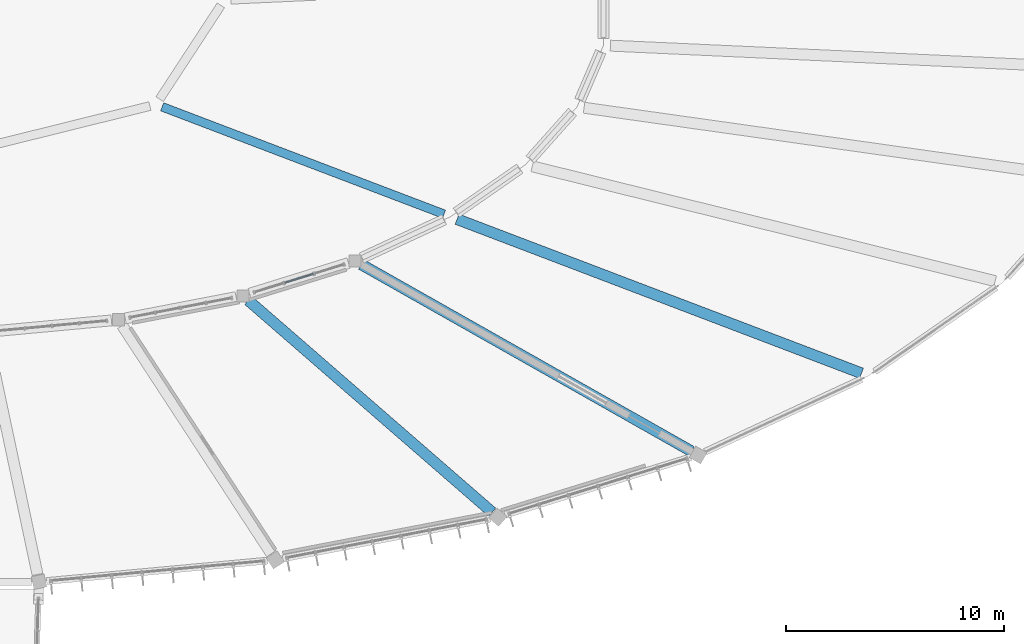
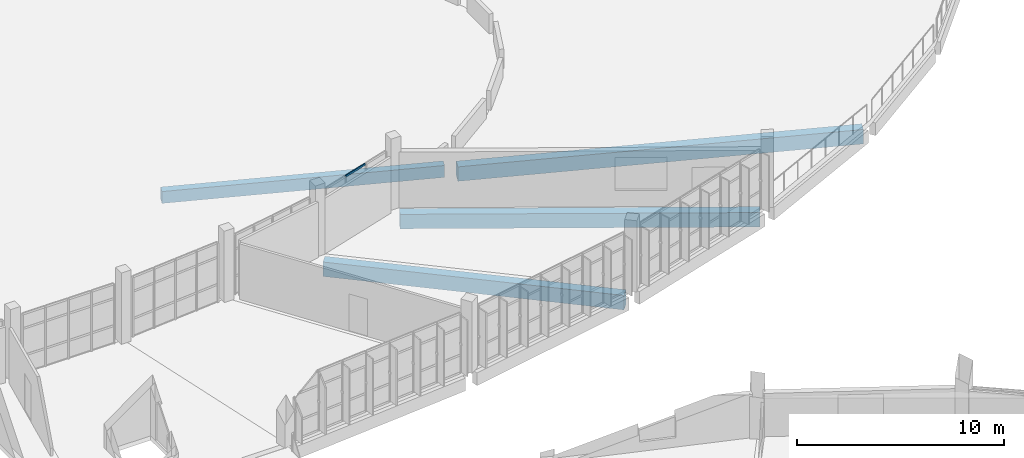
# One storey, part 44 of 142: 4 beams, 1 member, 1 element without a shape of its own.
"""IFC4 building model written with IfcOpenShell, lengths in metres."""

import ifcopenshell
import ifcopenshell.guid

model = None  # the IFC model being written
_history = None  # IfcOwnerHistory: only IFC2X3 demands one
_inside = {}  # id of a spatial element -> (the spatial element, [elements in it])
_under = {}  # id of a project, library or spatial element -> (it, [spatial elements below it])
_declared = {}  # id of a project -> (the project, [libraries it declares])
_typed = {}  # id of a type object -> (the type object, [elements of that type])
_made_of = {}  # id of a material, layer set ... -> (it, [elements and type objects made of it])


def new_model(schema):
    """Start an empty IFC model of exactly this schema.

    Asked for "IFC4X3", IfcOpenShell would pick the latest addendum, in which some entities
    have other attributes; the version numbers below select the first issue.
    IFC2X3 requires an IfcOwnerHistory on every rooted entity: one is made here for all.
    """
    global model, _history
    if schema == "IFC4X3":
        model = ifcopenshell.file(schema_version=(4, 3, 0, 0))
    else:
        model = ifcopenshell.file(schema=schema)
    _inside.clear()
    _under.clear()
    _declared.clear()
    _typed.clear()
    _made_of.clear()
    _history = None
    if model.schema == "IFC2X3":
        org = make("IfcOrganization", Name="unknown")
        user = make(
            "IfcPersonAndOrganization",
            ThePerson=make("IfcPerson", FamilyName="unknown"),
            TheOrganization=org,
        )
        app = make(
            "IfcApplication",
            ApplicationDeveloper=org,
            Version="unknown",
            ApplicationFullName="unknown",
            ApplicationIdentifier="unknown",
        )
        _history = make(
            "IfcOwnerHistory",
            OwningUser=user,
            OwningApplication=app,
            ChangeAction="ADDED",
            CreationDate=0,
        )
    return model


def make(cls, **values):
    """One entity of the class cls with the attributes given. An attribute that is None is left unset."""
    return model.create_entity(
        cls, **{name: value for name, value in values.items() if value is not None}
    )


def rooted(cls, **values):
    """An entity with a GlobalId (a new one), such as an element, a storey or a relation."""
    return make(cls, GlobalId=ifcopenshell.guid.new(), OwnerHistory=_history, **values)


def si_unit(unit_type, name, prefix=None):
    """IfcSIUnit, for example si_unit("LENGTHUNIT", "METRE", prefix="MILLI")."""
    return make("IfcSIUnit", UnitType=unit_type, Prefix=prefix, Name=name)


def assignment(units):
    """IfcUnitAssignment: the units of a project."""
    return None if units is None else make("IfcUnitAssignment", Units=units)


def point(xyz):
    """IfcCartesianPoint."""
    return None if xyz is None else make("IfcCartesianPoint", Coordinates=xyz)


def direction(xyz):
    """IfcDirection."""
    return None if xyz is None else make("IfcDirection", DirectionRatios=xyz)


def frame(location, z_axis=None, x_axis=None):
    """IfcAxis2Placement3D, a coordinate frame: its origin and axes. An axis left out is left unset."""
    return make(
        "IfcAxis2Placement3D",
        Location=point(location),
        Axis=direction(z_axis),
        RefDirection=direction(x_axis),
    )


def frame_2d(location, x_axis=None):
    """IfcAxis2Placement2D, a coordinate frame in the plane: its origin and x axis."""
    return make(
        "IfcAxis2Placement2D", Location=point(location), RefDirection=direction(x_axis)
    )


def origin():
    """The frame at (0, 0, 0) with its axes left unset."""
    return frame((0.0, 0.0, 0.0))


def origin_2d():
    """The frame at (0, 0) in the plane with its x axis left unset."""
    return frame_2d((0.0, 0.0))


def place(relative_to, where):
    """IfcLocalPlacement: puts the frame where relative to a parent placement (None: the world)."""
    return make(
        "IfcLocalPlacement", PlacementRelTo=relative_to, RelativePlacement=where
    )


def context(
    kind, dimensions, precision=None, world=None, true_north=None, identifier=None
):
    """IfcGeometricRepresentationContext, for example the 3D "Model" context."""
    return make(
        "IfcGeometricRepresentationContext",
        ContextIdentifier=identifier,
        ContextType=kind,
        CoordinateSpaceDimension=dimensions,
        Precision=precision,
        WorldCoordinateSystem=world,
        TrueNorth=true_north,
    )


def subcontext(parent, identifier, kind, view, scale=None):
    """IfcGeometricRepresentationSubContext, for example "Body" below "Model"."""
    return make(
        "IfcGeometricRepresentationSubContext",
        ContextIdentifier=identifier,
        ContextType=kind,
        ParentContext=parent,
        TargetScale=scale,
        TargetView=view,
    )


def project(units=None, contexts=None):
    """IfcProject with its units and contexts."""
    return rooted(
        "IfcProject",
        Name="project",
        RepresentationContexts=contexts,
        UnitsInContext=assignment(units),
    )


def spatial(cls, under=None, at=None, **own):
    """A site, building, storey or space (cls), placed at a placement, below another one or the project."""
    s = rooted(cls, ObjectPlacement=at, **own)
    if under is not None:
        _under.setdefault(under.id(), (under, []))[1].append(s)
    return s


def profile(cls, at=None, kind="AREA", **sizes):
    """A parametric profile (cls). Its sizes go by their IFC names, for example OverallWidth=200.0."""
    return make(cls, ProfileType=kind, Position=at, **sizes)


def rectangle(**sizes):
    """IfcRectangleProfileDef."""
    return profile("IfcRectangleProfileDef", **sizes)


def extrude(swept, where, along, depth):
    """IfcExtrudedAreaSolid: the profile swept, set in the frame where, extruded along a direction by depth."""
    return make(
        "IfcExtrudedAreaSolid",
        SweptArea=swept,
        Position=where,
        ExtrudedDirection=direction(along),
        Depth=depth,
    )


def shape(context_of_items, identifier, shape_type, items):
    """IfcShapeRepresentation: the items that make up one representation, for example the "Body"."""
    return make(
        "IfcShapeRepresentation",
        ContextOfItems=context_of_items,
        RepresentationIdentifier=identifier,
        RepresentationType=shape_type,
        Items=items,
    )


def material(Name=None, Category=None):
    """IfcMaterial."""
    return make("IfcMaterial", Name=Name, Category=Category)


def layer(
    of_material, thickness, ventilated=None, Name=None, Category=None, Priority=None
):
    """IfcMaterialLayer: one layer of a wall or slab, of a material (None: an air gap)."""
    return make(
        "IfcMaterialLayer",
        Material=of_material,
        LayerThickness=thickness,
        IsVentilated=ventilated,
        Name=Name,
        Category=Category,
        Priority=Priority,
    )


def layer_set(layers, Name=None):
    """IfcMaterialLayerSet."""
    return make("IfcMaterialLayerSet", MaterialLayers=layers, LayerSetName=Name)


def material_profile(
    of_material, cross_section, Name=None, Category=None, Priority=None
):
    """IfcMaterialProfile: a cross section and its material."""
    return make(
        "IfcMaterialProfile",
        Name=Name,
        Material=of_material,
        Profile=cross_section,
        Priority=Priority,
        Category=Category,
    )


def profile_set(profiles, Name=None, composite=None):
    """IfcMaterialProfileSet."""
    return make(
        "IfcMaterialProfileSet",
        Name=Name,
        MaterialProfiles=profiles,
        CompositeProfile=composite,
    )


def made_of(thing, what):
    """Note that an element or type object is made of a material, layer set ...; save() writes the relation."""
    if what is not None:
        _made_of.setdefault(what.id(), (what, []))[1].append(thing)
    return thing


def type_object(cls, material=None, **own):
    """A type object (cls), such as IfcWallType, which elements share."""
    return made_of(rooted(cls, **own), material)


def element(
    cls,
    number,
    at=None,
    inside=None,
    cuts=None,
    type_object=None,
    material=None,
    context=None,
    identifier="Body",
    shape_type=None,
    held_by="IfcProductDefinitionShape",
    body=None,
    shapes=None,
    **own,
):
    """One element of the class cls, such as IfcWall. Its Tag is "e" and its number.

    at: its placement. inside: the storey or other place that contains it. cuts: it is an
    opening in that element (IfcRelVoidsElement). A single representation is given by context,
    identifier, shape_type and body (its items); several are given by shapes. held_by: the class
    of the entity that holds the representations. save() writes the other relations.
    """
    e = rooted(cls, Tag="e%d" % number, ObjectPlacement=at, **own)
    if body is not None:
        shapes = [shape(context, identifier, shape_type, body)]
    if shapes is not None:
        e.Representation = make(held_by, Representations=shapes)
    if inside is not None:
        _inside.setdefault(inside.id(), (inside, []))[1].append(e)
    if cuts is not None:
        rooted(
            "IfcRelVoidsElement", RelatingBuildingElement=cuts, RelatedOpeningElement=e
        )
    if type_object is not None:
        _typed.setdefault(type_object.id(), (type_object, []))[1].append(e)
    return made_of(e, material)


def aggregate(whole, parts):
    """IfcRelAggregates: a whole, such as a stair, and the parts it consists of."""
    return rooted("IfcRelAggregates", RelatingObject=whole, RelatedObjects=parts)


def save(model, path):
    """Write the relations noted so far, then the file.

    IfcRelAggregates (storeys below a building ...), IfcRelContainedInSpatialStructure (elements
    in a storey), IfcRelDefinesByType, IfcRelAssociatesMaterial and IfcRelDeclares: one each for
    every whole, place, type object, material and project.
    """
    for whole, parts in _under.values():
        aggregate(whole, parts)
    for where, things in _inside.values():
        rooted(
            "IfcRelContainedInSpatialStructure",
            RelatedElements=things,
            RelatingStructure=where,
        )
    for kind, things in _typed.values():
        rooted("IfcRelDefinesByType", RelatedObjects=things, RelatingType=kind)
    for what, things in _made_of.values():
        rooted("IfcRelAssociatesMaterial", RelatedObjects=things, RelatingMaterial=what)
    for by, libraries in _declared.values():
        rooted("IfcRelDeclares", RelatingContext=by, RelatedDefinitions=libraries)
    model.write(path)


model = new_model("IFC4")

# Units and contexts
model_context = context("Model", 3, precision=1e-05, world=origin(), true_north=direction((0.0, 1.0)))
body_context = subcontext(model_context, "Body", "Model", "MODEL_VIEW")
ifc_project = project(units=[si_unit("LENGTHUNIT", "METRE"), si_unit("AREAUNIT", "SQUARE_METRE"), si_unit("VOLUMEUNIT", "CUBIC_METRE"), si_unit("PLANEANGLEUNIT", "RADIAN"), si_unit("MASSUNIT", "GRAM", prefix="KILO")], contexts=[model_context])

# Site, building, storey
site_placement = place(None, origin())
site = spatial("IfcSite", under=ifc_project, at=site_placement, CompositionType="ELEMENT")
building_placement = place(site_placement, origin())
building = spatial("IfcBuilding", under=site, at=building_placement, Name="Corvandel Quay Wholesale Market", CompositionType="ELEMENT")
storey_placement = place(building_placement, frame((0.0, 0.0, 10.800048828125)))
storey = spatial("IfcBuildingStorey", under=building, at=storey_placement, Name="L02", CompositionType="ELEMENT", Elevation=10.800048828125)

# Curtain wall, member
ifc_material_1 = material(Name="Bronze anodised aluminium and low-E insulated glazing", Category="aluminium")
ifc_layer = layer(ifc_material_1, 0.174072265625)
ifc_layer_set = layer_set([ifc_layer], Name="Bronze anodised aluminium and low-E insulated glazing")
curtain_wall_type = type_object("IfcCurtainWallType", Name="Stick Curtain Wall System CW12 H4080", PredefinedType="NOTDEFINED", material=ifc_layer_set)
curtain_wall_placement = place(storey_placement, origin())
curtain_wall = element("IfcCurtainWall", 1, at=curtain_wall_placement, inside=storey, type_object=curtain_wall_type, Name="Curtain Wall CW-0124", PredefinedType="NOTDEFINED")
ifc_material_2 = material(Name="Anodised aluminium 6063-T6", Category="aluminium")
ifc_material_profile_1 = material_profile(ifc_material_2, rectangle(XDim=0.06005859375, YDim=0.110107421875, at=origin_2d()), Name="ALU-TRN-60x110")
ifc_profile_set_1 = profile_set([ifc_material_profile_1], Name="Anodised aluminium 6063-T6")
member_type = type_object("IfcMemberType", Name="Curtain Wall Transom TR02 60x110", PredefinedType="USERDEFINED", material=ifc_profile_set_1)
member_placement = place(storey_placement, frame((130.766845703125, 103.690185546875, 3.5), z_axis=(0.955019031786, 0.296544514242, 0.0), x_axis=(-0.296544514242, 0.955019031786, 0.0)))
member = element("IfcMember", 2, at=member_placement, type_object=member_type, Name="Transom CW-0124-T01-3", ObjectType="TRANSOM", PredefinedType="USERDEFINED", context=body_context, shape_type="SweptSolid", body=[
    extrude(rectangle(XDim=0.06005859375, YDim=0.110107421875, at=origin_2d()), origin(), (0.0, 0.0, 1.0), 1.3740234375),
])
aggregate(curtain_wall, [member])

# Beams
ifc_material_3 = material(Name="Precast concrete C45/55", Category="concrete")
ifc_material_profile_2 = material_profile(ifc_material_3, rectangle(XDim=0.5, YDim=0.85009765625, at=origin_2d()), Name="PC-GIR-500x850")
ifc_profile_set_2 = profile_set([ifc_material_profile_2], Name="Precast concrete C45/55")
beam_type_1 = type_object("IfcBeamType", Name="Fish Hall Radial Girder G04 500x850", PredefinedType="USERDEFINED", material=ifc_profile_set_2)
beam_1_placement = place(storey_placement, frame((140.265380859375, 93.185302734375, -0.7451171875), z_axis=(-0.754940447909, 0.655793351683, 0.0), x_axis=(-0.655793351683, -0.754940447909, 0.0)))
element("IfcBeam", 3, at=beam_1_placement, inside=storey, type_object=beam_type_1, Name="Beam BM-0721", ObjectType="GIRDER", PredefinedType="USERDEFINED", context=body_context, shape_type="SweptSolid", body=[
    extrude(rectangle(XDim=0.5, YDim=0.85009765625, at=origin_2d()), origin(), (0.0, 0.0, 1.0), 14.794189453125),
])
beam_2_placement = place(storey_placement, frame((149.397705078125, 95.973876953125, -0.7451171875), z_axis=(-0.87034431954, 0.492443667281, 0.0), x_axis=(-0.492443667281, -0.87034431954, 0.0)))
element("IfcBeam", 4, at=beam_2_placement, inside=storey, type_object=beam_type_1, Name="Beam BM-0732", ObjectType="GIRDER", PredefinedType="USERDEFINED", context=body_context, shape_type="SweptSolid", body=[
    extrude(rectangle(XDim=0.5, YDim=0.85009765625, at=origin_2d()), origin(), (0.0, 0.0, 1.0), 17.3818359375),
])
beam_3_placement = place(storey_placement, frame((157.175537109375, 99.548828125, -0.7451171875), z_axis=(-0.934456894514, 0.356076273142, 0.0), x_axis=(-0.356076273142, -0.934456894514, 0.0)))
element("IfcBeam", 5, at=beam_3_placement, inside=storey, type_object=beam_type_1, Name="Beam BM-0739", ObjectType="GIRDER", PredefinedType="USERDEFINED", context=body_context, shape_type="SweptSolid", body=[
    extrude(rectangle(XDim=0.5, YDim=0.85009765625, at=origin_2d()), origin(), (0.0, 0.0, 1.0), 19.81640625),
])
ifc_material_profile_3 = material_profile(ifc_material_3, rectangle(XDim=0.39990234375, YDim=0.699951171875, at=origin_2d()), Name="PC-GIR-400x700")
ifc_profile_set_3 = profile_set([ifc_material_profile_3], Name="Precast concrete C45/55")
beam_type_2 = type_object("IfcBeamType", Name="Roof Deck Primary Girder G07 400x700", PredefinedType="USERDEFINED", material=ifc_profile_set_3)
beam_4_placement = place(storey_placement, frame((138.06005859375, 106.8330078125, -0.550048828125), z_axis=(-0.934485495187, 0.356001206858, 0.0), x_axis=(-0.356001206858, -0.934485495187, 0.0)))
element("IfcBeam", 6, at=beam_4_placement, inside=storey, type_object=beam_type_2, Name="Beam BM-0521", ObjectType="GIRDER", PredefinedType="USERDEFINED", context=body_context, shape_type="SweptSolid", body=[
    extrude(rectangle(XDim=0.39990234375, YDim=0.699951171875, at=origin_2d()), origin(), (0.0, 0.0, 1.0), 13.814453125),
])

save(model, "model.ifc")
